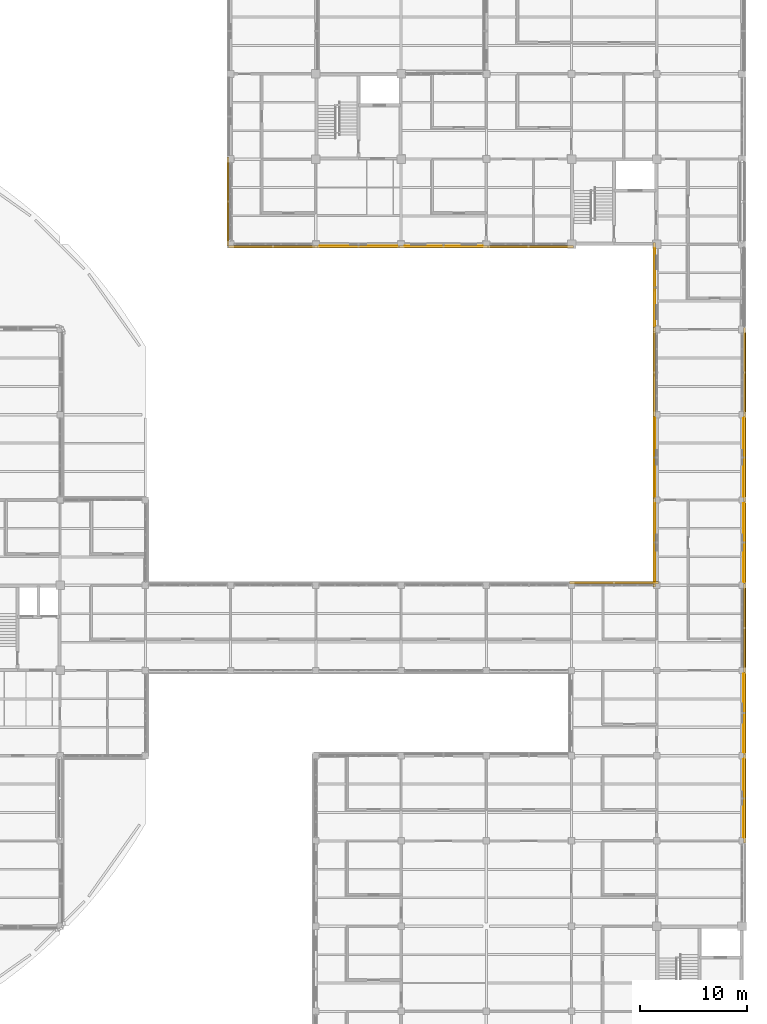
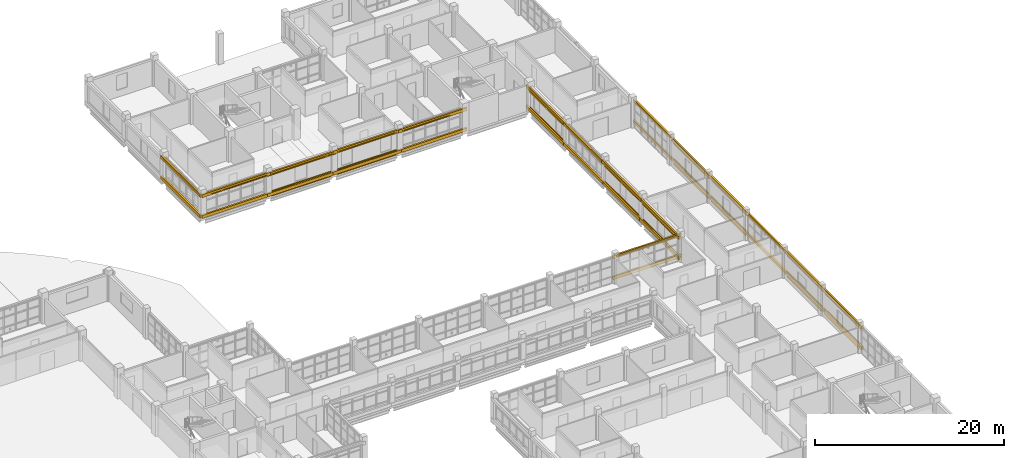
# One storey, part 123 of 126: 41 coverings, 23 shading devices.
"""IFC4 building model written with IfcOpenShell, lengths in metres."""

from ifc_helpers import new_model, si_unit, derived_unit, direction, frame, origin, origin_2d, place, context, subcontext, project, spatial, rectangle, circle, extrude, material, layer, layer_set, material_profile, profile_set, type_object, element, save


model = new_model("IFC4")

# Units and contexts
model_context = context("Model", 3, precision=1e-05, world=origin(), true_north=direction((0.0, 1.0)))
body_context = subcontext(model_context, "Body", "Model", "MODEL_VIEW")
ifc_project = project(units=[si_unit("LENGTHUNIT", "METRE"), si_unit("AREAUNIT", "SQUARE_METRE"), si_unit("VOLUMEUNIT", "CUBIC_METRE"), si_unit("PLANEANGLEUNIT", "RADIAN"), si_unit("MASSUNIT", "GRAM", prefix="KILO"), derived_unit("THERMALTRANSMITTANCEUNIT", [(si_unit("MASSUNIT", "GRAM", prefix="KILO"), 1), (si_unit("TIMEUNIT", "SECOND"), -3), (si_unit("THERMODYNAMICTEMPERATUREUNIT", "KELVIN"), -1)])], contexts=[model_context])

# Site, building, storey
site_placement = place(None, origin())
site = spatial("IfcSite", under=ifc_project, at=site_placement, CompositionType="ELEMENT")
building_placement = place(site_placement, origin())
building = spatial("IfcBuilding", under=site, at=building_placement, Name="Veyamyaing Civic Hall", CompositionType="ELEMENT")
storey_placement = place(building_placement, frame((0.0, 0.0, 9.89990234375)))
storey = spatial("IfcBuildingStorey", under=building, at=storey_placement, Name="L02", CompositionType="ELEMENT", Elevation=9.89990234375)

# Coverings
ifc_material_1 = material(Name="Buff sandstone ashlar cladding", Category="masonry")
ifc_layer_1 = layer(ifc_material_1, 0.050048828125, Name="Buff sandstone ashlar cladding")
ifc_layer_set_1 = layer_set([ifc_layer_1], Name="Buff sandstone ashlar cladding")
covering_type_1 = type_object("IfcCoveringType", Name="CL-01", PredefinedType="CLADDING", material=ifc_layer_set_1)
covering_1_placement = place(storey_placement, frame((148.0, 87.839111328125, 0.045166015625), z_axis=(0.0, 0.0, 1.0), x_axis=(1.0, 0.0, 0.0)))
element("IfcCovering", 1, at=covering_1_placement, inside=storey, type_object=covering_type_1, Name="Facade spandrel cladding CL-01 L02 S 19.12", PredefinedType="CLADDING", context=body_context, shape_type="SweptSolid", body=[
    extrude(rectangle(XDim=7.300048828125, YDim=0.050048828125, at=origin_2d()), origin(), (0.0, 0.0, 1.0), 0.75),
])
for number, where, z_axis, x_axis, name in (
    (2, (176.156005859375, 36.0, 0.045166015625), (0.0, 0.0, 1.0), (0.0, 1.0, 0.0), "Facade spandrel cladding CL-01 L02 E 22.5"),
    (3, (167.839111328125, 68.0, 0.045166015625), (0.0, 0.0, 1.0), (0.0, 1.0, 0.0), "Facade spandrel cladding CL-01 L02 W 22.9"),
    (4, (176.160888671875, 68.0, 0.045166015625), (0.0, 0.0, 1.0), (0.0, 1.0, 0.0), "Facade spandrel cladding CL-01 L02 E 22.9"),
):
    element("IfcCovering", number, at=place(storey_placement, frame(where, z_axis=z_axis, x_axis=x_axis)), inside=storey, type_object=covering_type_1, Name=name, PredefinedType="CLADDING", context=body_context, shape_type="SweptSolid", body=[
        extrude(rectangle(XDim=7.35009765625, YDim=0.050048828125, at=origin_2d()), origin(), (0.0, 0.0, 1.0), 0.75),
    ])
covering_2_placement = place(storey_placement, frame((167.839111328125, 83.96240234375, 0.045166015625), z_axis=(0.0, 0.0, 1.0), x_axis=(0.0, 1.0, 0.0)))
element("IfcCovering", 5, at=covering_2_placement, inside=storey, type_object=covering_type_1, Name="Facade spandrel cladding CL-01 L02 W 22.11", PredefinedType="CLADDING", context=body_context, shape_type="SweptSolid", body=[
    extrude(rectangle(XDim=7.22509765625, YDim=0.050048828125, at=origin_2d()), origin(), (0.0, 0.0, 1.0), 0.75),
])
ifc_material_2 = material(Name="Turquoise glazed ceramic tile cladding", Category="masonry")
ifc_layer_2 = layer(ifc_material_2, 0.034912109375, Name="Turquoise glazed ceramic tile cladding")
ifc_layer_set_2 = layer_set([ifc_layer_2], Name="Turquoise glazed ceramic tile cladding")
covering_type_2 = type_object("IfcCoveringType", Name="CL-02", PredefinedType="CLADDING", material=ifc_layer_set_2)
covering_3_placement = place(storey_placement, frame((140.0, 87.846435546875, 0.045166015625), z_axis=(0.0, 0.0, 1.0), x_axis=(1.0, 0.0, 0.0)))
element("IfcCovering", 6, at=covering_3_placement, inside=storey, type_object=covering_type_2, Name="Facade spandrel cladding CL-02 L02 S 18.12", PredefinedType="CLADDING", context=body_context, shape_type="SweptSolid", body=[
    extrude(rectangle(XDim=7.300048828125, YDim=0.034912109375, at=origin_2d()), origin(), (0.0, 0.0, 1.0), 0.75),
])
for number, where, z_axis, x_axis, name in (
    (7, (176.153564453125, 44.0, 0.045166015625), (0.0, 0.0, 1.0), (0.0, 1.0, 0.0), "Facade spandrel cladding CL-02 L02 E 22.6"),
    (8, (167.846435546875, 60.0, 0.045166015625), (0.0, 0.0, 1.0), (0.0, 1.0, 0.0), "Facade spandrel cladding CL-02 L02 W 22.8"),
    (9, (176.153564453125, 60.0, 0.045166015625), (0.0, 0.0, 1.0), (0.0, 1.0, 0.0), "Facade spandrel cladding CL-02 L02 E 22.8"),
):
    element("IfcCovering", number, at=place(storey_placement, frame(where, z_axis=z_axis, x_axis=x_axis)), inside=storey, type_object=covering_type_2, Name=name, PredefinedType="CLADDING", context=body_context, shape_type="SweptSolid", body=[
        extrude(rectangle(XDim=7.35009765625, YDim=0.034912109375, at=origin_2d()), origin(), (0.0, 0.0, 1.0), 0.75),
    ])
ifc_material_3 = material(Name="White powder-coated aluminium 6063-T6", Category="aluminium")
ifc_layer_3 = layer(ifc_material_3, 0.2099609375, Name="White powder-coated aluminium 6063-T6")
ifc_layer_set_3 = layer_set([ifc_layer_3], Name="White powder-coated aluminium 6063-T6")
covering_type_3 = type_object("IfcCoveringType", Name="CL-03", PredefinedType="CLADDING", material=ifc_layer_set_3)
for number, where, z_axis, x_axis, name in (
    (10, (132.0, 87.760009765625, 2.964111328125), (0.0, 0.0, 1.0), (1.0, 0.0, 0.0), "Continuous white head fascia ribbon CL-03 L02 S 17.12"),
    (11, (132.0, 87.760009765625, 0.280029296875), (0.0, 0.0, 1.0), (1.0, 0.0, 0.0), "Continuous white sill fascia ribbon CL-03 L02 S 17.12"),
    (12, (127.760009765625, 92.0, 2.964111328125), (0.0, 0.0, 1.0), (0.0, 1.0, 0.0), "Continuous white head fascia ribbon CL-03 L02 W 17.12"),
    (13, (127.760009765625, 92.0, 0.280029296875), (0.0, 0.0, 1.0), (0.0, 1.0, 0.0), "Continuous white sill fascia ribbon CL-03 L02 W 17.12"),
    (14, (140.0, 87.760009765625, 2.904052734375), (0.0, 0.0, 1.0), (1.0, 0.0, 0.0), "Continuous white head fascia ribbon CL-03 L02 S 18.12"),
    (15, (140.0, 87.760009765625, 0.280029296875), (0.0, 0.0, 1.0), (1.0, 0.0, 0.0), "Continuous white sill fascia ribbon CL-03 L02 S 18.12"),
    (16, (148.0, 87.760009765625, 2.967041015625), (0.0, 0.0, 1.0), (1.0, 0.0, 0.0), "Continuous white head fascia ribbon CL-03 L02 S 19.12"),
    (17, (148.0, 87.760009765625, 0.280029296875), (0.0, 0.0, 1.0), (1.0, 0.0, 0.0), "Continuous white sill fascia ribbon CL-03 L02 S 19.12"),
    (18, (156.0, 87.760009765625, 2.900146484375), (0.0, 0.0, 1.0), (1.0, 0.0, 0.0), "Continuous white head fascia ribbon CL-03 L02 S 20.12"),
    (19, (156.0, 87.760009765625, 0.280029296875), (0.0, 0.0, 1.0), (1.0, 0.0, 0.0), "Continuous white sill fascia ribbon CL-03 L02 S 20.12"),
    (20, (164.0, 56.239990234375, 2.964111328125), (0.0, 0.0, 1.0), (1.0, 0.0, 0.0), "Continuous white head fascia ribbon CL-03 L02 N 21.7"),
    (21, (164.0, 56.239990234375, 0.280029296875), (0.0, 0.0, 1.0), (1.0, 0.0, 0.0), "Continuous white sill fascia ribbon CL-03 L02 N 21.7"),
    (22, (176.239990234375, 36.0, 2.900146484375), (0.0, 0.0, 1.0), (0.0, 1.0, 0.0), "Continuous white head fascia ribbon CL-03 L02 E 22.5"),
    (23, (176.239990234375, 36.0, 0.280029296875), (0.0, 0.0, 1.0), (0.0, 1.0, 0.0), "Continuous white sill fascia ribbon CL-03 L02 E 22.5"),
    (24, (176.239990234375, 44.0, 2.964111328125), (0.0, 0.0, 1.0), (0.0, 1.0, 0.0), "Continuous white head fascia ribbon CL-03 L02 E 22.6"),
    (25, (176.239990234375, 44.0, 0.280029296875), (0.0, 0.0, 1.0), (0.0, 1.0, 0.0), "Continuous white sill fascia ribbon CL-03 L02 E 22.6"),
    (26, (176.239990234375, 52.0, 2.904052734375), (0.0, 0.0, 1.0), (0.0, 1.0, 0.0), "Continuous white head fascia ribbon CL-03 L02 E 22.7"),
    (27, (176.239990234375, 52.0, 0.280029296875), (0.0, 0.0, 1.0), (0.0, 1.0, 0.0), "Continuous white sill fascia ribbon CL-03 L02 E 22.7"),
    (28, (167.760009765625, 60.0, 2.904052734375), (0.0, 0.0, 1.0), (0.0, 1.0, 0.0), "Continuous white head fascia ribbon CL-03 L02 W 22.8"),
    (29, (167.760009765625, 60.0, 0.280029296875), (0.0, 0.0, 1.0), (0.0, 1.0, 0.0), "Continuous white sill fascia ribbon CL-03 L02 W 22.8"),
    (30, (176.239990234375, 60.0, 2.967041015625), (0.0, 0.0, 1.0), (0.0, 1.0, 0.0), "Continuous white head fascia ribbon CL-03 L02 E 22.8"),
    (31, (176.239990234375, 60.0, 0.280029296875), (0.0, 0.0, 1.0), (0.0, 1.0, 0.0), "Continuous white sill fascia ribbon CL-03 L02 E 22.8"),
    (32, (167.760009765625, 68.0, 2.967041015625), (0.0, 0.0, 1.0), (0.0, 1.0, 0.0), "Continuous white head fascia ribbon CL-03 L02 W 22.9"),
    (33, (167.760009765625, 68.0, 0.280029296875), (0.0, 0.0, 1.0), (0.0, 1.0, 0.0), "Continuous white sill fascia ribbon CL-03 L02 W 22.9"),
    (34, (176.239990234375, 68.0, 2.900146484375), (0.0, 0.0, 1.0), (0.0, 1.0, 0.0), "Continuous white head fascia ribbon CL-03 L02 E 22.9"),
    (35, (176.239990234375, 68.0, 0.280029296875), (0.0, 0.0, 1.0), (0.0, 1.0, 0.0), "Continuous white sill fascia ribbon CL-03 L02 E 22.9"),
    (36, (167.760009765625, 76.0, 2.900146484375), (0.0, 0.0, 1.0), (0.0, 1.0, 0.0), "Continuous white head fascia ribbon CL-03 L02 W 22.10"),
    (37, (167.760009765625, 76.0, 0.280029296875), (0.0, 0.0, 1.0), (0.0, 1.0, 0.0), "Continuous white sill fascia ribbon CL-03 L02 W 22.10"),
    (38, (176.239990234375, 76.0, 2.964111328125), (0.0, 0.0, 1.0), (0.0, 1.0, 0.0), "Continuous white head fascia ribbon CL-03 L02 E 22.10"),
    (39, (176.239990234375, 76.0, 0.280029296875), (0.0, 0.0, 1.0), (0.0, 1.0, 0.0), "Continuous white sill fascia ribbon CL-03 L02 E 22.10"),
    (40, (167.760009765625, 84.0, 2.964111328125), (0.0, 0.0, 1.0), (0.0, 1.0, 0.0), "Continuous white head fascia ribbon CL-03 L02 W 22.11"),
    (41, (167.760009765625, 84.0, 0.280029296875), (0.0, 0.0, 1.0), (0.0, 1.0, 0.0), "Continuous white sill fascia ribbon CL-03 L02 W 22.11"),
):
    element("IfcCovering", number, at=place(storey_placement, frame(where, z_axis=z_axis, x_axis=x_axis)), inside=storey, type_object=covering_type_3, Name=name, PredefinedType="CLADDING", context=body_context, shape_type="SweptSolid", body=[
        extrude(rectangle(XDim=8.360107421875, YDim=0.2099609375, at=origin_2d()), origin(), (0.0, 0.0, 1.0), 0.39990234375),
    ])

# Shading devices
ifc_material_4 = material(Name="Anodised aluminium 6063-T6", Category="aluminium")
ifc_material_profile_1 = material_profile(ifc_material_4, rectangle(XDim=0.050048828125, YDim=0.25, at=origin_2d()), Name="LOUVRE-BLADE-50X250")
ifc_profile_set_1 = profile_set([ifc_material_profile_1], Name="Anodised aluminium 6063-T6")
shading_device_type_1 = type_object("IfcShadingDeviceType", Name="LV-01", PredefinedType="JALOUSIE", material=ifc_profile_set_1)
for number, where, z_axis, x_axis, name in (
    (42, (176.219970703125, 40.284912109375, 2.794189453125), (0.0, 1.0, 0.0), (-1.0, 0.0, 0.0), "Monsoon solar louvre LV-01 L02 E 22.6"),
    (43, (167.780029296875, 56.284912109375, 2.734130859375), (0.0, 1.0, 0.0), (-1.0, 0.0, 0.0), "Monsoon solar louvre LV-01 L02 W 22.8"),
    (44, (176.219970703125, 56.284912109375, 2.797119140625), (0.0, 1.0, 0.0), (-1.0, 0.0, 0.0), "Monsoon solar louvre LV-01 L02 E 22.8"),
    (45, (167.780029296875, 64.284912109375, 2.797119140625), (0.0, 1.0, 0.0), (-1.0, 0.0, 0.0), "Monsoon solar louvre LV-01 L02 W 22.9"),
    (46, (176.219970703125, 64.284912109375, 2.72998046875), (0.0, 1.0, 0.0), (-1.0, 0.0, 0.0), "Monsoon solar louvre LV-01 L02 E 22.9"),
):
    element("IfcShadingDevice", number, at=place(storey_placement, frame(where, z_axis=z_axis, x_axis=x_axis)), inside=storey, type_object=shading_device_type_1, Name=name, PredefinedType="JALOUSIE", context=body_context, shape_type="SweptSolid", body=[
        extrude(rectangle(XDim=0.050048828125, YDim=0.25, at=origin_2d()), origin(), (0.0, 0.0, 1.0), 7.43017578125),
    ])
shading_device_1_placement = place(storey_placement, frame((167.780029296875, 80.31005859375, 2.794189453125), z_axis=(0.0, 1.0, 0.0), x_axis=(-1.0, 0.0, 0.0)))
element("IfcShadingDevice", 47, at=shading_device_1_placement, inside=storey, type_object=shading_device_type_1, Name="Monsoon solar louvre LV-01 L02 W 22.11", PredefinedType="JALOUSIE", context=body_context, shape_type="SweptSolid", body=[
    extrude(rectangle(XDim=0.050048828125, YDim=0.25, at=origin_2d()), origin(), (0.0, 0.0, 1.0), 7.304931640625),
])
ifc_material_profile_2 = material_profile(ifc_material_4, rectangle(XDim=0.044921875, YDim=0.199951171875, at=origin_2d()), Name="LOUVRE-BLADE-45X200")
ifc_profile_set_2 = profile_set([ifc_material_profile_2], Name="Anodised aluminium 6063-T6")
shading_device_type_2 = type_object("IfcShadingDeviceType", Name="LV-02", PredefinedType="JALOUSIE", material=ifc_profile_set_2)
shading_device_2_placement = place(storey_placement, frame((176.219970703125, 32.284912109375, 2.72998046875), z_axis=(0.0, 1.0, 0.0), x_axis=(-1.0, 0.0, 0.0)))
element("IfcShadingDevice", 48, at=shading_device_2_placement, inside=storey, type_object=shading_device_type_2, Name="Monsoon solar louvre LV-02 L02 E 22.5", PredefinedType="JALOUSIE", context=body_context, shape_type="SweptSolid", body=[
    extrude(rectangle(XDim=0.044921875, YDim=0.199951171875, at=origin_2d()), origin(), (0.0, 0.0, 1.0), 7.43017578125),
])
ifc_material_profile_3 = material_profile(ifc_material_3, circle(Radius=0.090087890625, at=origin_2d()), Name="SHADE-TUBE-180")
ifc_profile_set_3 = profile_set([ifc_material_profile_3], Name="White powder-coated aluminium 6063-T6")
shading_device_type_3 = type_object("IfcShadingDeviceType", Name="SH-02", PredefinedType="USERDEFINED", material=ifc_profile_set_3)
for number, where, z_axis, x_axis, name in (
    (49, (128.31005859375, 87.760009765625, 3.1240234375), (1.0, 0.0, 0.0), (0.0, 1.0, 0.0), "Horizontal white sunshade ribbon SH-02 L02 S 17.12"),
    (50, (127.760009765625, 88.31005859375, 3.1240234375), (0.0, 1.0, 0.0), (-1.0, 0.0, 0.0), "Horizontal white sunshade ribbon SH-02 L02 W 17.12"),
    (51, (136.31005859375, 87.760009765625, 3.064208984375), (1.0, 0.0, 0.0), (0.0, 1.0, 0.0), "Horizontal white sunshade ribbon SH-02 L02 S 18.12"),
    (52, (144.31005859375, 87.760009765625, 3.127197265625), (1.0, 0.0, 0.0), (0.0, 1.0, 0.0), "Horizontal white sunshade ribbon SH-02 L02 S 19.12"),
):
    element("IfcShadingDevice", number, at=place(storey_placement, frame(where, z_axis=z_axis, x_axis=x_axis)), inside=storey, type_object=shading_device_type_3, Name=name, ObjectType="SUNSHADE", PredefinedType="USERDEFINED", context=body_context, shape_type="SweptSolid", body=[
        extrude(circle(Radius=0.090087890625, at=origin_2d()), origin(), (0.0, 0.0, 1.0), 7.3798828125),
    ])
shading_device_3_placement = place(storey_placement, frame((152.31005859375, 87.760009765625, 3.06005859375), z_axis=(1.0, 0.0, 0.0), x_axis=(0.0, 1.0, 0.0)))
element("IfcShadingDevice", 53, at=shading_device_3_placement, inside=storey, type_object=shading_device_type_3, Name="Horizontal white sunshade ribbon SH-02 L02 S 20.12", ObjectType="SUNSHADE", PredefinedType="USERDEFINED", context=body_context, shape_type="SweptSolid", body=[
    extrude(circle(Radius=0.090087890625, at=origin_2d()), origin(), (0.0, 0.0, 1.0), 7.304931640625),
])
for number, where, z_axis, x_axis, name in (
    (54, (160.284912109375, 56.239990234375, 3.1240234375), (1.0, 0.0, 0.0), (0.0, 1.0, 0.0), "Horizontal white sunshade ribbon SH-02 L02 N 21.7"),
    (55, (176.239990234375, 32.284912109375, 3.06005859375), (0.0, 1.0, 0.0), (-1.0, 0.0, 0.0), "Horizontal white sunshade ribbon SH-02 L02 E 22.5"),
    (56, (176.239990234375, 40.284912109375, 3.1240234375), (0.0, 1.0, 0.0), (-1.0, 0.0, 0.0), "Horizontal white sunshade ribbon SH-02 L02 E 22.6"),
    (57, (176.239990234375, 48.284912109375, 3.064208984375), (0.0, 1.0, 0.0), (-1.0, 0.0, 0.0), "Horizontal white sunshade ribbon SH-02 L02 E 22.7"),
    (58, (167.760009765625, 56.284912109375, 3.064208984375), (0.0, 1.0, 0.0), (-1.0, 0.0, 0.0), "Horizontal white sunshade ribbon SH-02 L02 W 22.8"),
    (59, (176.239990234375, 56.284912109375, 3.127197265625), (0.0, 1.0, 0.0), (-1.0, 0.0, 0.0), "Horizontal white sunshade ribbon SH-02 L02 E 22.8"),
    (60, (167.760009765625, 64.284912109375, 3.127197265625), (0.0, 1.0, 0.0), (-1.0, 0.0, 0.0), "Horizontal white sunshade ribbon SH-02 L02 W 22.9"),
    (61, (176.239990234375, 64.284912109375, 3.06005859375), (0.0, 1.0, 0.0), (-1.0, 0.0, 0.0), "Horizontal white sunshade ribbon SH-02 L02 E 22.9"),
):
    element("IfcShadingDevice", number, at=place(storey_placement, frame(where, z_axis=z_axis, x_axis=x_axis)), inside=storey, type_object=shading_device_type_3, Name=name, ObjectType="SUNSHADE", PredefinedType="USERDEFINED", context=body_context, shape_type="SweptSolid", body=[
        extrude(circle(Radius=0.090087890625, at=origin_2d()), origin(), (0.0, 0.0, 1.0), 7.43017578125),
    ])
for number, where, z_axis, x_axis, name in (
    (62, (167.760009765625, 72.284912109375, 3.06005859375), (0.0, 1.0, 0.0), (-1.0, 0.0, 0.0), "Horizontal white sunshade ribbon SH-02 L02 W 22.10"),
    (63, (176.239990234375, 72.284912109375, 3.1240234375), (0.0, 1.0, 0.0), (-1.0, 0.0, 0.0), "Horizontal white sunshade ribbon SH-02 L02 E 22.10"),
):
    element("IfcShadingDevice", number, at=place(storey_placement, frame(where, z_axis=z_axis, x_axis=x_axis)), inside=storey, type_object=shading_device_type_3, Name=name, ObjectType="SUNSHADE", PredefinedType="USERDEFINED", context=body_context, shape_type="SweptSolid", body=[
        extrude(circle(Radius=0.090087890625, at=origin_2d()), origin(), (0.0, 0.0, 1.0), 7.405029296875),
    ])
shading_device_4_placement = place(storey_placement, frame((167.760009765625, 80.31005859375, 3.1240234375), z_axis=(0.0, 1.0, 0.0), x_axis=(-1.0, 0.0, 0.0)))
element("IfcShadingDevice", 64, at=shading_device_4_placement, inside=storey, type_object=shading_device_type_3, Name="Horizontal white sunshade ribbon SH-02 L02 W 22.11", ObjectType="SUNSHADE", PredefinedType="USERDEFINED", context=body_context, shape_type="SweptSolid", body=[
    extrude(circle(Radius=0.090087890625, at=origin_2d()), origin(), (0.0, 0.0, 1.0), 7.304931640625),
])

save(model, "model.ifc")
